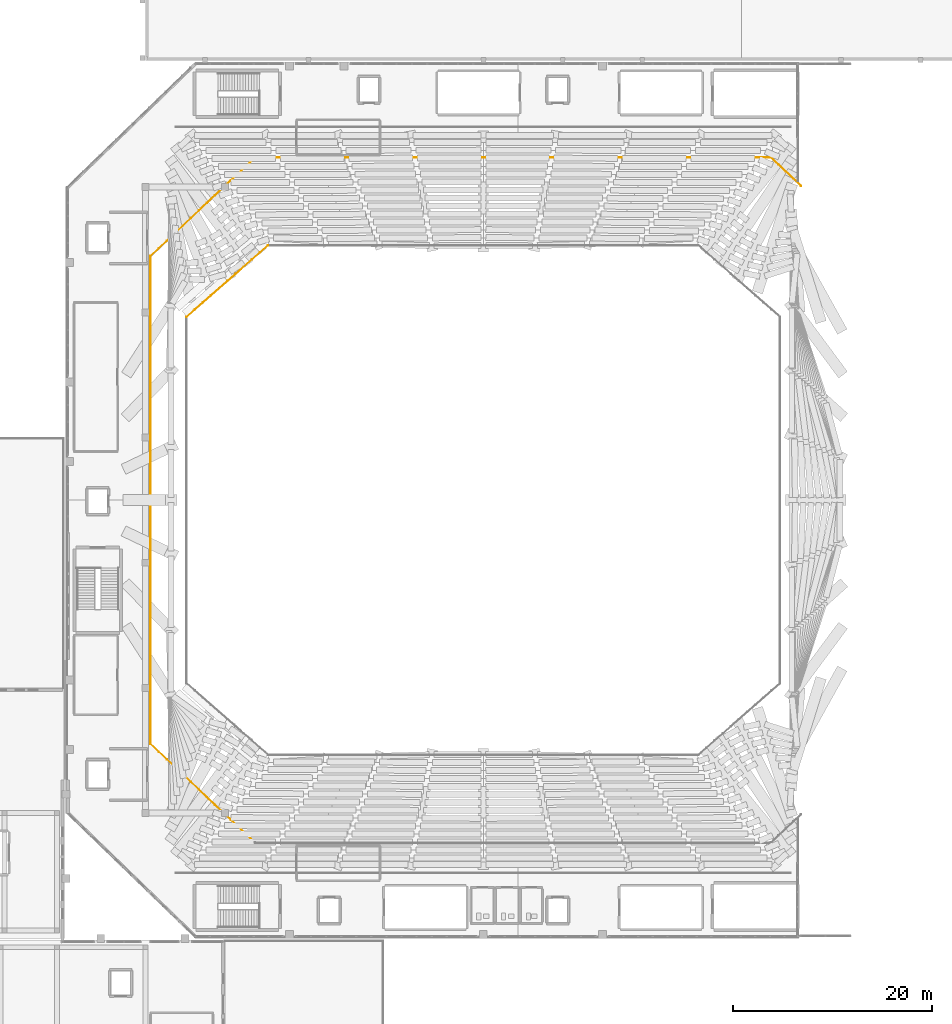
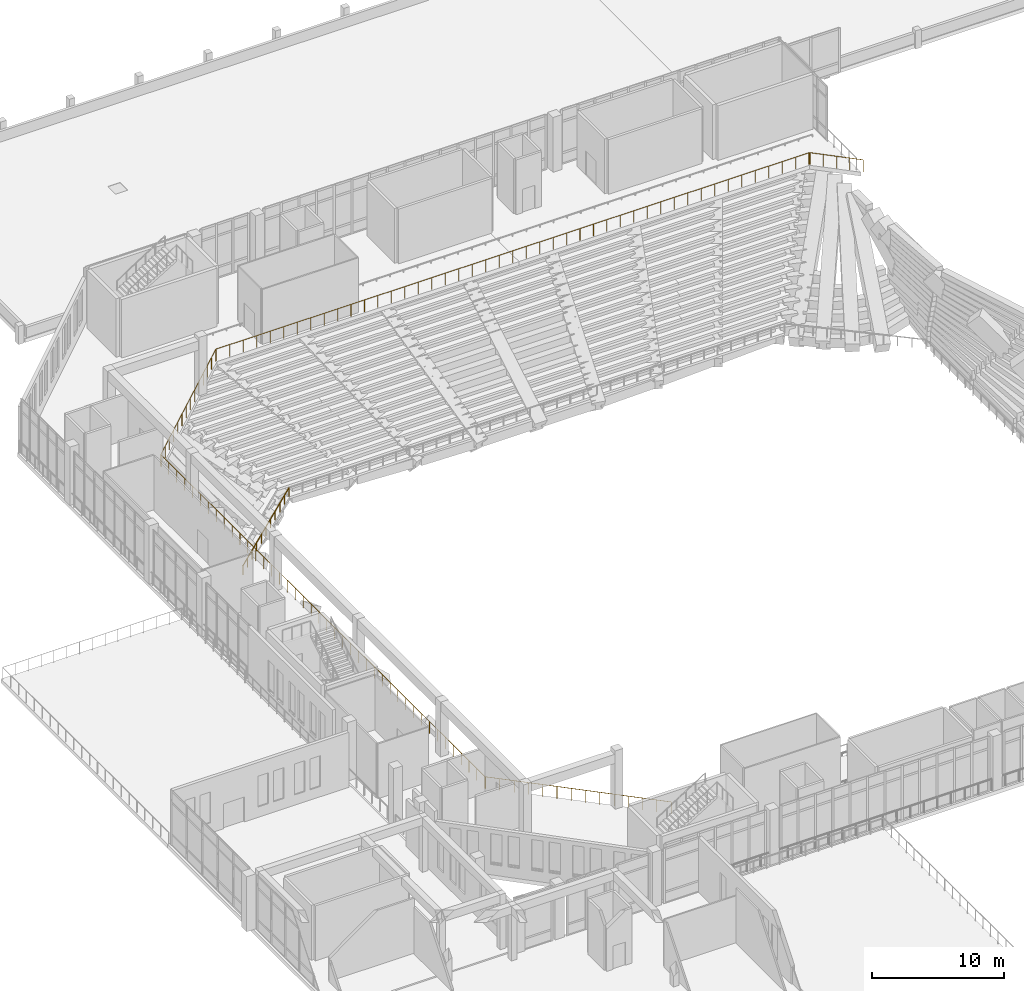
# One storey, part 53 of 55: 2 railings.
"""IFC4 building model written with IfcOpenShell, lengths in metres."""

from ifc_helpers import new_model, si_unit, derived_unit, direction, frame, origin, origin_2d, place, context, subcontext, project, spatial, circle, extrude, material, type_object, element, save


model = new_model("IFC4")

# Units and contexts
model_context = context("Model", 3, precision=1e-05, world=origin(), true_north=direction((0.0, 1.0)))
body_context = subcontext(model_context, "Body", "Model", "MODEL_VIEW")
ifc_project = project(units=[si_unit("LENGTHUNIT", "METRE"), si_unit("AREAUNIT", "SQUARE_METRE"), si_unit("VOLUMEUNIT", "CUBIC_METRE"), si_unit("PLANEANGLEUNIT", "RADIAN"), si_unit("MASSUNIT", "GRAM", prefix="KILO"), derived_unit("THERMALTRANSMITTANCEUNIT", [(si_unit("MASSUNIT", "GRAM", prefix="KILO"), 1), (si_unit("TIMEUNIT", "SECOND"), -3), (si_unit("THERMODYNAMICTEMPERATUREUNIT", "KELVIN"), -1)])], contexts=[model_context])

# Site, building, storey
site_placement = place(None, origin())
site = spatial("IfcSite", under=ifc_project, at=site_placement, CompositionType="ELEMENT")
building_placement = place(site_placement, origin())
building = spatial("IfcBuilding", under=site, at=building_placement, Name="Valcora Ridge Arena", CompositionType="ELEMENT")
storey_placement = place(building_placement, frame((0.0, 0.0, 21.0)))
storey = spatial("IfcBuildingStorey", under=building, at=storey_placement, Name="L04", CompositionType="ELEMENT", Elevation=21.0)

# Railings
ifc_material = material(Name="Galvanized painted steel ASTM A500 Grade B", Category="steel")
railing_type_1 = type_object("IfcRailingType", Name="TY-RAILING-BAL-BOWL-850", PredefinedType="BALUSTRADE", material=ifc_material)
railing_1_placement = place(storey_placement, frame((36.35009765625, 89.75, -7.60009765625)))
element("IfcRailing", 1, at=railing_1_placement, inside=storey, type_object=railing_type_1, Name="BAL-BOWL-850 RAL-BW-0022", PredefinedType="BALUSTRADE", context=body_context, shape_type="SweptSolid", body=[
    extrude(circle(Radius=0.02392578125, at=origin_2d()), frame((0.0, 0.0, 0.826171875), z_axis=(-0.751450235134, -0.659789772667, 0.0), x_axis=(0.659789772667, -0.751450235134, 0.0)), (0.0, 0.0, 1.0), 10.91259765625),
    extrude(circle(Radius=0.02099609375, at=origin_2d()), origin(), (0.0, 0.0, 1.0), 0.802001953125),
    extrude(circle(Radius=0.02099609375, at=origin_2d()), frame((-0.820068359375, -0.719970703125, 0.0)), (0.0, 0.0, 1.0), 0.802001953125),
    extrude(circle(Radius=0.02099609375, at=origin_2d()), frame((-1.64013671875, -1.43994140625, 0.0)), (0.0, 0.0, 1.0), 0.802001953125),
    extrude(circle(Radius=0.02099609375, at=origin_2d()), frame((-2.4599609375, -2.159912109375, 0.0)), (0.0, 0.0, 1.0), 0.802001953125),
    extrude(circle(Radius=0.02099609375, at=origin_2d()), frame((-3.280029296875, -2.8798828125, 0.0)), (0.0, 0.0, 1.0), 0.802001953125),
    extrude(circle(Radius=0.02099609375, at=origin_2d()), frame((-4.10009765625, -3.60009765625, 0.0)), (0.0, 0.0, 1.0), 0.802001953125),
    extrude(circle(Radius=0.02099609375, at=origin_2d()), frame((-4.920166015625, -4.320068359375, 0.0)), (0.0, 0.0, 1.0), 0.802001953125),
    extrude(circle(Radius=0.02099609375, at=origin_2d()), frame((-5.740234375, -5.0400390625, 0.0)), (0.0, 0.0, 1.0), 0.802001953125),
    extrude(circle(Radius=0.02099609375, at=origin_2d()), frame((-6.56005859375, -5.760009765625, 0.0)), (0.0, 0.0, 1.0), 0.802001953125),
    extrude(circle(Radius=0.02099609375, at=origin_2d()), frame((-7.380126953125, -6.47998046875, 0.0)), (0.0, 0.0, 1.0), 0.802001953125),
    extrude(circle(Radius=0.02099609375, at=origin_2d()), frame((-8.2001953125, -7.199951171875, 0.0)), (0.0, 0.0, 1.0), 0.802001953125),
])
railing_type_2 = type_object("IfcRailingType", Name="TY-RAILING-GRD-VOID-1120", PredefinedType="GUARDRAIL", material=ifc_material)
railing_2_placement = place(storey_placement, frame((35.031494140625, 29.627197265625, 0.0)))
element("IfcRailing", 2, at=railing_2_placement, inside=storey, type_object=railing_type_2, Name="GRD-VOID-1120 RAL-DK-0011", PredefinedType="GUARDRAIL", context=body_context, shape_type="SweptSolid", body=[
    extrude(circle(Radius=0.02392578125, at=origin_2d()), frame((0.0, 0.0, 1.09619140625), z_axis=(-0.727592783851, 0.686009286299, 0.0), x_axis=(-0.686009286299, -0.727592783851, 0.0)), (0.0, 0.0, 1.0), 14.43115234375),
    extrude(circle(Radius=0.02392578125, at=origin_2d()), frame((-10.5, 9.89990234375, 1.09619140625), z_axis=(-0.683157128776, 0.730271413519, 0.0), x_axis=(-0.730271413519, -0.683157128776, 0.0)), (0.0, 0.0, 1.0), 0.01025390625),
    extrude(circle(Radius=0.02392578125, at=origin_2d()), frame((-10.507080078125, 9.907470703125, 1.09619140625), z_axis=(-0.630592625094, 0.776114000116, 0.0), x_axis=(-0.776114000116, -0.630592625094, 0.0)), (0.0, 0.0, 1.0), 0.010009765625),
    extrude(circle(Radius=0.02392578125, at=origin_2d()), frame((-10.513427734375, 9.915283203125, 1.09619140625), z_axis=(-0.521450009454, 0.853281833652, 0.0), x_axis=(-0.853281833652, -0.521450009454, 0.0)), (0.0, 0.0, 1.0), 0.01025390625),
    extrude(circle(Radius=0.02392578125, at=origin_2d()), frame((-10.518798828125, 9.924072265625, 1.09619140625), z_axis=(-0.437465718849, 0.899235088746, 0.0), x_axis=(-0.899235088746, -0.437465718849, 0.0)), (0.0, 0.0, 1.0), 0.010009765625),
    extrude(circle(Radius=0.02392578125, at=origin_2d()), frame((-10.523193359375, 9.93310546875, 1.09619140625), z_axis=(-0.358979079309, 0.933345606203, 0.0), x_axis=(-0.933345606203, -0.358979079309, 0.0)), (0.0, 0.0, 1.0), 0.01025390625),
    extrude(circle(Radius=0.02392578125, at=origin_2d()), frame((-10.52685546875, 9.942626953125, 1.09619140625), z_axis=(-0.236956180191, 0.971520338783, 0.0), x_axis=(-0.971520338783, -0.236956180191, 0.0)), (0.0, 0.0, 1.0), 0.01025390625),
    extrude(circle(Radius=0.02392578125, at=origin_2d()), frame((-10.529296875, 9.95263671875, 1.09619140625), z_axis=(-0.168296462892, 0.98573642551, 0.0), x_axis=(-0.98573642551, -0.168296462892, 0.0)), (0.0, 0.0, 1.0), 0.01025390625),
    extrude(circle(Radius=0.02392578125, at=origin_2d()), frame((-10.531005859375, 9.962646484375, 1.09619140625), z_axis=(-0.047565149415, 0.998868137724, 0.0), x_axis=(-0.998868137724, -0.047565149415, 0.0)), (0.0, 0.0, 1.0), 0.01025390625),
    extrude(circle(Radius=0.02392578125, at=origin_2d()), frame((-10.531494140625, 9.972900390625, 1.09619140625), z_axis=(0.0, 1.0, 0.0), x_axis=(-1.0, 0.0, 0.0)), (0.0, 0.0, 1.0), 49.0),
    extrude(circle(Radius=0.02392578125, at=origin_2d()), frame((-10.531494140625, 58.972900390625, 1.09619140625), z_axis=(0.048722553713, 0.998812351125, 0.0), x_axis=(-0.998812351125, 0.048722553713, 0.0)), (0.0, 0.0, 1.0), 0.010009765625),
    extrude(circle(Radius=0.02392578125, at=origin_2d()), frame((-10.531005859375, 58.98291015625, 1.09619140625), z_axis=(0.168296462892, 0.98573642551, 0.0), x_axis=(-0.98573642551, 0.168296462892, 0.0)), (0.0, 0.0, 1.0), 0.01025390625),
    extrude(circle(Radius=0.02392578125, at=origin_2d()), frame((-10.529296875, 58.992919921875, 1.09619140625), z_axis=(0.236956180191, 0.971520338783, 0.0), x_axis=(-0.971520338783, 0.236956180191, 0.0)), (0.0, 0.0, 1.0), 0.01025390625),
    extrude(circle(Radius=0.02392578125, at=origin_2d()), frame((-10.52685546875, 59.0029296875, 1.09619140625), z_axis=(0.358979079309, 0.933345606203, 0.0), x_axis=(-0.933345606203, 0.358979079309, 0.0)), (0.0, 0.0, 1.0), 0.01025390625),
    extrude(circle(Radius=0.02392578125, at=origin_2d()), frame((-10.523193359375, 59.012451171875, 1.09619140625), z_axis=(0.437465718849, 0.899235088746, 0.0), x_axis=(-0.899235088746, 0.437465718849, 0.0)), (0.0, 0.0, 1.0), 0.010009765625),
    extrude(circle(Radius=0.02392578125, at=origin_2d()), frame((-10.518798828125, 59.021484375, 1.09619140625), z_axis=(0.521450009454, 0.853281833652, 0.0), x_axis=(-0.853281833652, 0.521450009454, 0.0)), (0.0, 0.0, 1.0), 0.01025390625),
    extrude(circle(Radius=0.02392578125, at=origin_2d()), frame((-10.513427734375, 59.0302734375, 1.09619140625), z_axis=(0.630592625094, 0.776114000116, 0.0), x_axis=(-0.776114000116, 0.630592625094, 0.0)), (0.0, 0.0, 1.0), 0.010009765625),
    extrude(circle(Radius=0.02392578125, at=origin_2d()), frame((-10.507080078125, 59.0380859375, 1.09619140625), z_axis=(0.683157128776, 0.730271413519, 0.0), x_axis=(-0.730271413519, 0.683157128776, 0.0)), (0.0, 0.0, 1.0), 0.01025390625),
    extrude(circle(Radius=0.02392578125, at=origin_2d()), frame((-10.5, 59.045654296875, 1.09619140625), z_axis=(0.727592783851, 0.686009286299, 0.0), x_axis=(-0.686009286299, 0.727592783851, 0.0)), (0.0, 0.0, 1.0), 14.43115234375),
    extrude(circle(Radius=0.02392578125, at=origin_2d()), frame((0.0, 68.945556640625, 1.09619140625), z_axis=(0.757409961601, 0.652939622069, 0.0), x_axis=(-0.652939622069, 0.757409961601, 0.0)), (0.0, 0.0, 1.0), 0.00927734375),
    extrude(circle(Radius=0.02392578125, at=origin_2d()), frame((0.007080078125, 68.95166015625, 1.09619140625), z_axis=(0.812015371343, 0.583636048153, 0.0), x_axis=(-0.583636048153, 0.812015371343, 0.0)), (0.0, 0.0, 1.0), 0.009521484375),
    extrude(circle(Radius=0.02392578125, at=origin_2d()), frame((0.014892578125, 68.957275390625, 1.09619140625), z_axis=(0.866622456874, 0.498964444867, 0.0), x_axis=(-0.498964444867, 0.866622456874, 0.0)), (0.0, 0.0, 1.0), 0.00927734375),
    extrude(circle(Radius=0.02392578125, at=origin_2d()), frame((0.02294921875, 68.9619140625, 1.09619140625), z_axis=(0.909474475586, 0.415759760268, 0.0), x_axis=(-0.415759760268, 0.909474475586, 0.0)), (0.0, 0.0, 1.0), 0.00927734375),
    extrude(circle(Radius=0.02392578125, at=origin_2d()), frame((0.031494140625, 68.9658203125, 1.09619140625), z_axis=(0.951222818949, 0.308504698037, 0.0), x_axis=(-0.308504698037, 0.951222818949, 0.0)), (0.0, 0.0, 1.0), 0.009521484375),
    extrude(circle(Radius=0.02392578125, at=origin_2d()), frame((0.04052734375, 68.96875, 1.09619140625), z_axis=(0.97308028749, 0.230466383879, 0.0), x_axis=(-0.230466383879, 0.97308028749, 0.0)), (0.0, 0.0, 1.0), 0.009521484375),
    extrude(circle(Radius=0.02392578125, at=origin_2d()), frame((0.0498046875, 68.970947265625, 1.09619140625), z_axis=(0.987762965329, 0.155962573473, 0.0), x_axis=(-0.155962573473, 0.987762965329, 0.0)), (0.0, 0.0, 1.0), 0.00927734375),
    extrude(circle(Radius=0.02392578125, at=origin_2d()), frame((0.05908203125, 68.972412109375, 1.09619140625), z_axis=(0.998687663477, 0.051214751973, 0.0), x_axis=(-0.051214751973, 0.998687663477, 0.0)), (0.0, 0.0, 1.0), 0.009521484375),
    extrude(circle(Radius=0.02392578125, at=origin_2d()), frame((0.068603515625, 68.972900390625, 1.09619140625), z_axis=(1.0, 0.0, 0.0), x_axis=(0.0, 1.0, 0.0)), (0.0, 0.0, 1.0), 51.7998046875),
    extrude(circle(Radius=0.02392578125, at=origin_2d()), frame((51.868408203125, 68.972900390625, 1.09619140625), z_axis=(0.998687663477, -0.051214751973, 0.0), x_axis=(0.051214751973, 0.998687663477, 0.0)), (0.0, 0.0, 1.0), 0.009521484375),
    extrude(circle(Radius=0.02392578125, at=origin_2d()), frame((51.8779296875, 68.972412109375, 1.09619140625), z_axis=(0.987762965329, -0.155962573473, 0.0), x_axis=(0.155962573473, 0.987762965329, 0.0)), (0.0, 0.0, 1.0), 0.00927734375),
    extrude(circle(Radius=0.02392578125, at=origin_2d()), frame((51.88720703125, 68.970947265625, 1.09619140625), z_axis=(0.97308028749, -0.230466383879, 0.0), x_axis=(0.230466383879, 0.97308028749, 0.0)), (0.0, 0.0, 1.0), 0.009521484375),
    extrude(circle(Radius=0.02392578125, at=origin_2d()), frame((51.896484375, 68.96875, 1.09619140625), z_axis=(0.951222818949, -0.308504698037, 0.0), x_axis=(0.308504698037, 0.951222818949, 0.0)), (0.0, 0.0, 1.0), 0.009521484375),
    extrude(circle(Radius=0.02392578125, at=origin_2d()), frame((51.905517578125, 68.9658203125, 1.09619140625), z_axis=(0.909474475586, -0.415759760268, 0.0), x_axis=(0.415759760268, 0.909474475586, 0.0)), (0.0, 0.0, 1.0), 0.00927734375),
    extrude(circle(Radius=0.02392578125, at=origin_2d()), frame((51.9140625, 68.9619140625, 1.09619140625), z_axis=(0.866622456874, -0.498964444867, 0.0), x_axis=(0.498964444867, 0.866622456874, 0.0)), (0.0, 0.0, 1.0), 0.00927734375),
    extrude(circle(Radius=0.02392578125, at=origin_2d()), frame((51.922119140625, 68.957275390625, 1.09619140625), z_axis=(0.812015371343, -0.583636048153, 0.0), x_axis=(0.583636048153, 0.812015371343, 0.0)), (0.0, 0.0, 1.0), 0.009521484375),
    extrude(circle(Radius=0.02392578125, at=origin_2d()), frame((51.929931640625, 68.95166015625, 1.09619140625), z_axis=(0.757409961601, -0.652939622069, 0.0), x_axis=(0.652939622069, 0.757409961601, 0.0)), (0.0, 0.0, 1.0), 0.00927734375),
    extrude(circle(Radius=0.02392578125, at=origin_2d()), frame((51.93701171875, 68.945556640625, 1.09619140625), z_axis=(0.727582670629, -0.686020012391, 0.0), x_axis=(0.686020012391, 0.727582670629, 0.0)), (0.0, 0.0, 1.0), 4.13525390625),
    extrude(circle(Radius=0.02099609375, at=origin_2d()), origin(), (0.0, 0.0, 1.0), 1.072021484375),
    extrude(circle(Radius=0.02099609375, at=origin_2d()), frame((-0.8076171875, 0.761474609375, 0.0)), (0.0, 0.0, 1.0), 1.072021484375),
    extrude(circle(Radius=0.02099609375, at=origin_2d()), frame((-1.615478515625, 1.52294921875, 0.0)), (0.0, 0.0, 1.0), 1.072021484375),
    extrude(circle(Radius=0.02099609375, at=origin_2d()), frame((-2.423095703125, 2.28466796875, 0.0)), (0.0, 0.0, 1.0), 1.072021484375),
    extrude(circle(Radius=0.02099609375, at=origin_2d()), frame((-3.230712890625, 3.046142578125, 0.0)), (0.0, 0.0, 1.0), 1.072021484375),
    extrude(circle(Radius=0.02099609375, at=origin_2d()), frame((-4.03857421875, 3.8076171875, 0.0)), (0.0, 0.0, 1.0), 1.072021484375),
    extrude(circle(Radius=0.02099609375, at=origin_2d()), frame((-4.84619140625, 4.569091796875, 0.0)), (0.0, 0.0, 1.0), 1.072021484375),
    extrude(circle(Radius=0.02099609375, at=origin_2d()), frame((-5.65380859375, 5.330810546875, 0.0)), (0.0, 0.0, 1.0), 1.072021484375),
    extrude(circle(Radius=0.02099609375, at=origin_2d()), frame((-6.46142578125, 6.09228515625, 0.0)), (0.0, 0.0, 1.0), 1.072021484375),
    extrude(circle(Radius=0.02099609375, at=origin_2d()), frame((-7.269287109375, 6.853759765625, 0.0)), (0.0, 0.0, 1.0), 1.072021484375),
    extrude(circle(Radius=0.02099609375, at=origin_2d()), frame((-8.076904296875, 7.615234375, 0.0)), (0.0, 0.0, 1.0), 1.072021484375),
    extrude(circle(Radius=0.02099609375, at=origin_2d()), frame((-8.884521484375, 8.376953125, 0.0)), (0.0, 0.0, 1.0), 1.072021484375),
    extrude(circle(Radius=0.02099609375, at=origin_2d()), frame((-9.6923828125, 9.138427734375, 0.0)), (0.0, 0.0, 1.0), 1.072021484375),
    extrude(circle(Radius=0.02099609375, at=origin_2d()), frame((-10.5, 9.89990234375, 0.0)), (0.0, 0.0, 1.0), 1.072021484375),
    extrude(circle(Radius=0.02099609375, at=origin_2d()), frame((-10.507080078125, 9.907470703125, 0.0)), (0.0, 0.0, 1.0), 1.072021484375),
    extrude(circle(Radius=0.02099609375, at=origin_2d()), frame((-10.513427734375, 9.915283203125, 0.0)), (0.0, 0.0, 1.0), 1.072021484375),
    extrude(circle(Radius=0.02099609375, at=origin_2d()), frame((-10.518798828125, 9.924072265625, 0.0)), (0.0, 0.0, 1.0), 1.072021484375),
    extrude(circle(Radius=0.02099609375, at=origin_2d()), frame((-10.523193359375, 9.93310546875, 0.0)), (0.0, 0.0, 1.0), 1.072021484375),
    extrude(circle(Radius=0.02099609375, at=origin_2d()), frame((-10.52685546875, 9.942626953125, 0.0)), (0.0, 0.0, 1.0), 1.072021484375),
    extrude(circle(Radius=0.02099609375, at=origin_2d()), frame((-10.529296875, 9.95263671875, 0.0)), (0.0, 0.0, 1.0), 1.072021484375),
    extrude(circle(Radius=0.02099609375, at=origin_2d()), frame((-10.531005859375, 9.962646484375, 0.0)), (0.0, 0.0, 1.0), 1.072021484375),
    extrude(circle(Radius=0.02099609375, at=origin_2d()), frame((-10.531494140625, 9.972900390625, 0.0)), (0.0, 0.0, 1.0), 1.072021484375),
    extrude(circle(Radius=0.02099609375, at=origin_2d()), frame((-10.531494140625, 11.16796875, 0.0)), (0.0, 0.0, 1.0), 1.072021484375),
    extrude(circle(Radius=0.02099609375, at=origin_2d()), frame((-10.531494140625, 12.363037109375, 0.0)), (0.0, 0.0, 1.0), 1.072021484375),
    extrude(circle(Radius=0.02099609375, at=origin_2d()), frame((-10.531494140625, 13.558349609375, 0.0)), (0.0, 0.0, 1.0), 1.072021484375),
    extrude(circle(Radius=0.02099609375, at=origin_2d()), frame((-10.531494140625, 14.75341796875, 0.0)), (0.0, 0.0, 1.0), 1.072021484375),
    extrude(circle(Radius=0.02099609375, at=origin_2d()), frame((-10.531494140625, 15.948486328125, 0.0)), (0.0, 0.0, 1.0), 1.072021484375),
    extrude(circle(Radius=0.02099609375, at=origin_2d()), frame((-10.531494140625, 17.1435546875, 0.0)), (0.0, 0.0, 1.0), 1.072021484375),
    extrude(circle(Radius=0.02099609375, at=origin_2d()), frame((-10.531494140625, 18.3388671875, 0.0)), (0.0, 0.0, 1.0), 1.072021484375),
    extrude(circle(Radius=0.02099609375, at=origin_2d()), frame((-10.531494140625, 19.533935546875, 0.0)), (0.0, 0.0, 1.0), 1.072021484375),
    extrude(circle(Radius=0.02099609375, at=origin_2d()), frame((-10.531494140625, 20.72900390625, 0.0)), (0.0, 0.0, 1.0), 1.072021484375),
    extrude(circle(Radius=0.02099609375, at=origin_2d()), frame((-10.531494140625, 21.924072265625, 0.0)), (0.0, 0.0, 1.0), 1.072021484375),
    extrude(circle(Radius=0.02099609375, at=origin_2d()), frame((-10.531494140625, 23.119140625, 0.0)), (0.0, 0.0, 1.0), 1.072021484375),
    extrude(circle(Radius=0.02099609375, at=origin_2d()), frame((-10.531494140625, 24.314453125, 0.0)), (0.0, 0.0, 1.0), 1.072021484375),
    extrude(circle(Radius=0.02099609375, at=origin_2d()), frame((-10.531494140625, 25.509521484375, 0.0)), (0.0, 0.0, 1.0), 1.072021484375),
    extrude(circle(Radius=0.02099609375, at=origin_2d()), frame((-10.531494140625, 26.70458984375, 0.0)), (0.0, 0.0, 1.0), 1.072021484375),
    extrude(circle(Radius=0.02099609375, at=origin_2d()), frame((-10.531494140625, 27.899658203125, 0.0)), (0.0, 0.0, 1.0), 1.072021484375),
    extrude(circle(Radius=0.02099609375, at=origin_2d()), frame((-10.531494140625, 29.094970703125, 0.0)), (0.0, 0.0, 1.0), 1.072021484375),
    extrude(circle(Radius=0.02099609375, at=origin_2d()), frame((-10.531494140625, 30.2900390625, 0.0)), (0.0, 0.0, 1.0), 1.072021484375),
    extrude(circle(Radius=0.02099609375, at=origin_2d()), frame((-10.531494140625, 31.485107421875, 0.0)), (0.0, 0.0, 1.0), 1.072021484375),
    extrude(circle(Radius=0.02099609375, at=origin_2d()), frame((-10.531494140625, 32.68017578125, 0.0)), (0.0, 0.0, 1.0), 1.072021484375),
    extrude(circle(Radius=0.02099609375, at=origin_2d()), frame((-10.531494140625, 33.875244140625, 0.0)), (0.0, 0.0, 1.0), 1.072021484375),
    extrude(circle(Radius=0.02099609375, at=origin_2d()), frame((-10.531494140625, 35.070556640625, 0.0)), (0.0, 0.0, 1.0), 1.072021484375),
    extrude(circle(Radius=0.02099609375, at=origin_2d()), frame((-10.531494140625, 36.265625, 0.0)), (0.0, 0.0, 1.0), 1.072021484375),
    extrude(circle(Radius=0.02099609375, at=origin_2d()), frame((-10.531494140625, 37.460693359375, 0.0)), (0.0, 0.0, 1.0), 1.072021484375),
    extrude(circle(Radius=0.02099609375, at=origin_2d()), frame((-10.531494140625, 38.65576171875, 0.0)), (0.0, 0.0, 1.0), 1.072021484375),
    extrude(circle(Radius=0.02099609375, at=origin_2d()), frame((-10.531494140625, 39.850830078125, 0.0)), (0.0, 0.0, 1.0), 1.072021484375),
    extrude(circle(Radius=0.02099609375, at=origin_2d()), frame((-10.531494140625, 41.046142578125, 0.0)), (0.0, 0.0, 1.0), 1.072021484375),
    extrude(circle(Radius=0.02099609375, at=origin_2d()), frame((-10.531494140625, 42.2412109375, 0.0)), (0.0, 0.0, 1.0), 1.072021484375),
    extrude(circle(Radius=0.02099609375, at=origin_2d()), frame((-10.531494140625, 43.436279296875, 0.0)), (0.0, 0.0, 1.0), 1.072021484375),
    extrude(circle(Radius=0.02099609375, at=origin_2d()), frame((-10.531494140625, 44.63134765625, 0.0)), (0.0, 0.0, 1.0), 1.072021484375),
    extrude(circle(Radius=0.02099609375, at=origin_2d()), frame((-10.531494140625, 45.82666015625, 0.0)), (0.0, 0.0, 1.0), 1.072021484375),
    extrude(circle(Radius=0.02099609375, at=origin_2d()), frame((-10.531494140625, 47.021728515625, 0.0)), (0.0, 0.0, 1.0), 1.072021484375),
    extrude(circle(Radius=0.02099609375, at=origin_2d()), frame((-10.531494140625, 48.216796875, 0.0)), (0.0, 0.0, 1.0), 1.072021484375),
    extrude(circle(Radius=0.02099609375, at=origin_2d()), frame((-10.531494140625, 49.411865234375, 0.0)), (0.0, 0.0, 1.0), 1.072021484375),
    extrude(circle(Radius=0.02099609375, at=origin_2d()), frame((-10.531494140625, 50.60693359375, 0.0)), (0.0, 0.0, 1.0), 1.072021484375),
    extrude(circle(Radius=0.02099609375, at=origin_2d()), frame((-10.531494140625, 51.80224609375, 0.0)), (0.0, 0.0, 1.0), 1.072021484375),
    extrude(circle(Radius=0.02099609375, at=origin_2d()), frame((-10.531494140625, 52.997314453125, 0.0)), (0.0, 0.0, 1.0), 1.072021484375),
    extrude(circle(Radius=0.02099609375, at=origin_2d()), frame((-10.531494140625, 54.1923828125, 0.0)), (0.0, 0.0, 1.0), 1.072021484375),
    extrude(circle(Radius=0.02099609375, at=origin_2d()), frame((-10.531494140625, 55.387451171875, 0.0)), (0.0, 0.0, 1.0), 1.072021484375),
    extrude(circle(Radius=0.02099609375, at=origin_2d()), frame((-10.531494140625, 56.582763671875, 0.0)), (0.0, 0.0, 1.0), 1.072021484375),
    extrude(circle(Radius=0.02099609375, at=origin_2d()), frame((-10.531494140625, 57.77783203125, 0.0)), (0.0, 0.0, 1.0), 1.072021484375),
    extrude(circle(Radius=0.02099609375, at=origin_2d()), frame((-10.531494140625, 58.972900390625, 0.0)), (0.0, 0.0, 1.0), 1.072021484375),
    extrude(circle(Radius=0.02099609375, at=origin_2d()), frame((-10.531005859375, 58.98291015625, 0.0)), (0.0, 0.0, 1.0), 1.072021484375),
    extrude(circle(Radius=0.02099609375, at=origin_2d()), frame((-10.529296875, 58.992919921875, 0.0)), (0.0, 0.0, 1.0), 1.072021484375),
    extrude(circle(Radius=0.02099609375, at=origin_2d()), frame((-10.52685546875, 59.0029296875, 0.0)), (0.0, 0.0, 1.0), 1.072021484375),
    extrude(circle(Radius=0.02099609375, at=origin_2d()), frame((-10.523193359375, 59.012451171875, 0.0)), (0.0, 0.0, 1.0), 1.072021484375),
    extrude(circle(Radius=0.02099609375, at=origin_2d()), frame((-10.518798828125, 59.021484375, 0.0)), (0.0, 0.0, 1.0), 1.072021484375),
    extrude(circle(Radius=0.02099609375, at=origin_2d()), frame((-10.513427734375, 59.0302734375, 0.0)), (0.0, 0.0, 1.0), 1.072021484375),
    extrude(circle(Radius=0.02099609375, at=origin_2d()), frame((-10.507080078125, 59.0380859375, 0.0)), (0.0, 0.0, 1.0), 1.072021484375),
    extrude(circle(Radius=0.02099609375, at=origin_2d()), frame((-10.5, 59.045654296875, 0.0)), (0.0, 0.0, 1.0), 1.072021484375),
    extrude(circle(Radius=0.02099609375, at=origin_2d()), frame((-9.6923828125, 59.80712890625, 0.0)), (0.0, 0.0, 1.0), 1.072021484375),
    extrude(circle(Radius=0.02099609375, at=origin_2d()), frame((-8.884521484375, 60.568603515625, 0.0)), (0.0, 0.0, 1.0), 1.072021484375),
    extrude(circle(Radius=0.02099609375, at=origin_2d()), frame((-8.076904296875, 61.330322265625, 0.0)), (0.0, 0.0, 1.0), 1.072021484375),
    extrude(circle(Radius=0.02099609375, at=origin_2d()), frame((-7.269287109375, 62.091796875, 0.0)), (0.0, 0.0, 1.0), 1.072021484375),
    extrude(circle(Radius=0.02099609375, at=origin_2d()), frame((-6.46142578125, 62.853271484375, 0.0)), (0.0, 0.0, 1.0), 1.072021484375),
    extrude(circle(Radius=0.02099609375, at=origin_2d()), frame((-5.65380859375, 63.61474609375, 0.0)), (0.0, 0.0, 1.0), 1.072021484375),
    extrude(circle(Radius=0.02099609375, at=origin_2d()), frame((-4.84619140625, 64.37646484375, 0.0)), (0.0, 0.0, 1.0), 1.072021484375),
    extrude(circle(Radius=0.02099609375, at=origin_2d()), frame((-4.03857421875, 65.137939453125, 0.0)), (0.0, 0.0, 1.0), 1.072021484375),
    extrude(circle(Radius=0.02099609375, at=origin_2d()), frame((-3.230712890625, 65.8994140625, 0.0)), (0.0, 0.0, 1.0), 1.072021484375),
    extrude(circle(Radius=0.02099609375, at=origin_2d()), frame((-2.423095703125, 66.660888671875, 0.0)), (0.0, 0.0, 1.0), 1.072021484375),
    extrude(circle(Radius=0.02099609375, at=origin_2d()), frame((-1.615478515625, 67.422607421875, 0.0)), (0.0, 0.0, 1.0), 1.072021484375),
    extrude(circle(Radius=0.02099609375, at=origin_2d()), frame((-0.8076171875, 68.18408203125, 0.0)), (0.0, 0.0, 1.0), 1.072021484375),
    extrude(circle(Radius=0.02099609375, at=origin_2d()), frame((0.0, 68.945556640625, 0.0)), (0.0, 0.0, 1.0), 1.072021484375),
    extrude(circle(Radius=0.02099609375, at=origin_2d()), frame((0.007080078125, 68.95166015625, 0.0)), (0.0, 0.0, 1.0), 1.072021484375),
    extrude(circle(Radius=0.02099609375, at=origin_2d()), frame((0.014892578125, 68.957275390625, 0.0)), (0.0, 0.0, 1.0), 1.072021484375),
    extrude(circle(Radius=0.02099609375, at=origin_2d()), frame((0.02294921875, 68.9619140625, 0.0)), (0.0, 0.0, 1.0), 1.072021484375),
    extrude(circle(Radius=0.02099609375, at=origin_2d()), frame((0.031494140625, 68.9658203125, 0.0)), (0.0, 0.0, 1.0), 1.072021484375),
    extrude(circle(Radius=0.02099609375, at=origin_2d()), frame((0.04052734375, 68.96875, 0.0)), (0.0, 0.0, 1.0), 1.072021484375),
    extrude(circle(Radius=0.02099609375, at=origin_2d()), frame((0.0498046875, 68.970947265625, 0.0)), (0.0, 0.0, 1.0), 1.072021484375),
    extrude(circle(Radius=0.02099609375, at=origin_2d()), frame((0.05908203125, 68.972412109375, 0.0)), (0.0, 0.0, 1.0), 1.072021484375),
    extrude(circle(Radius=0.02099609375, at=origin_2d()), frame((0.068603515625, 68.972900390625, 0.0)), (0.0, 0.0, 1.0), 1.072021484375),
    extrude(circle(Radius=0.02099609375, at=origin_2d()), frame((1.245849609375, 68.972900390625, 0.0)), (0.0, 0.0, 1.0), 1.072021484375),
    extrude(circle(Radius=0.02099609375, at=origin_2d()), frame((2.423095703125, 68.972900390625, 0.0)), (0.0, 0.0, 1.0), 1.072021484375),
    extrude(circle(Radius=0.02099609375, at=origin_2d()), frame((3.600341796875, 68.972900390625, 0.0)), (0.0, 0.0, 1.0), 1.072021484375),
    extrude(circle(Radius=0.02099609375, at=origin_2d()), frame((4.777587890625, 68.972900390625, 0.0)), (0.0, 0.0, 1.0), 1.072021484375),
    extrude(circle(Radius=0.02099609375, at=origin_2d()), frame((5.954833984375, 68.972900390625, 0.0)), (0.0, 0.0, 1.0), 1.072021484375),
    extrude(circle(Radius=0.02099609375, at=origin_2d()), frame((7.13232421875, 68.972900390625, 0.0)), (0.0, 0.0, 1.0), 1.072021484375),
    extrude(circle(Radius=0.02099609375, at=origin_2d()), frame((8.3095703125, 68.972900390625, 0.0)), (0.0, 0.0, 1.0), 1.072021484375),
    extrude(circle(Radius=0.02099609375, at=origin_2d()), frame((9.48681640625, 68.972900390625, 0.0)), (0.0, 0.0, 1.0), 1.072021484375),
    extrude(circle(Radius=0.02099609375, at=origin_2d()), frame((10.6640625, 68.972900390625, 0.0)), (0.0, 0.0, 1.0), 1.072021484375),
    extrude(circle(Radius=0.02099609375, at=origin_2d()), frame((11.84130859375, 68.972900390625, 0.0)), (0.0, 0.0, 1.0), 1.072021484375),
    extrude(circle(Radius=0.02099609375, at=origin_2d()), frame((13.0185546875, 68.972900390625, 0.0)), (0.0, 0.0, 1.0), 1.072021484375),
    extrude(circle(Radius=0.02099609375, at=origin_2d()), frame((14.19580078125, 68.972900390625, 0.0)), (0.0, 0.0, 1.0), 1.072021484375),
    extrude(circle(Radius=0.02099609375, at=origin_2d()), frame((15.373046875, 68.972900390625, 0.0)), (0.0, 0.0, 1.0), 1.072021484375),
    extrude(circle(Radius=0.02099609375, at=origin_2d()), frame((16.55029296875, 68.972900390625, 0.0)), (0.0, 0.0, 1.0), 1.072021484375),
    extrude(circle(Radius=0.02099609375, at=origin_2d()), frame((17.7275390625, 68.972900390625, 0.0)), (0.0, 0.0, 1.0), 1.072021484375),
    extrude(circle(Radius=0.02099609375, at=origin_2d()), frame((18.90478515625, 68.972900390625, 0.0)), (0.0, 0.0, 1.0), 1.072021484375),
    extrude(circle(Radius=0.02099609375, at=origin_2d()), frame((20.082275390625, 68.972900390625, 0.0)), (0.0, 0.0, 1.0), 1.072021484375),
    extrude(circle(Radius=0.02099609375, at=origin_2d()), frame((21.259521484375, 68.972900390625, 0.0)), (0.0, 0.0, 1.0), 1.072021484375),
    extrude(circle(Radius=0.02099609375, at=origin_2d()), frame((22.436767578125, 68.972900390625, 0.0)), (0.0, 0.0, 1.0), 1.072021484375),
    extrude(circle(Radius=0.02099609375, at=origin_2d()), frame((23.614013671875, 68.972900390625, 0.0)), (0.0, 0.0, 1.0), 1.072021484375),
    extrude(circle(Radius=0.02099609375, at=origin_2d()), frame((24.791259765625, 68.972900390625, 0.0)), (0.0, 0.0, 1.0), 1.072021484375),
    extrude(circle(Radius=0.02099609375, at=origin_2d()), frame((25.968505859375, 68.972900390625, 0.0)), (0.0, 0.0, 1.0), 1.072021484375),
    extrude(circle(Radius=0.02099609375, at=origin_2d()), frame((27.145751953125, 68.972900390625, 0.0)), (0.0, 0.0, 1.0), 1.072021484375),
    extrude(circle(Radius=0.02099609375, at=origin_2d()), frame((28.322998046875, 68.972900390625, 0.0)), (0.0, 0.0, 1.0), 1.072021484375),
    extrude(circle(Radius=0.02099609375, at=origin_2d()), frame((29.500244140625, 68.972900390625, 0.0)), (0.0, 0.0, 1.0), 1.072021484375),
    extrude(circle(Radius=0.02099609375, at=origin_2d()), frame((30.677490234375, 68.972900390625, 0.0)), (0.0, 0.0, 1.0), 1.072021484375),
    extrude(circle(Radius=0.02099609375, at=origin_2d()), frame((31.854736328125, 68.972900390625, 0.0)), (0.0, 0.0, 1.0), 1.072021484375),
    extrude(circle(Radius=0.02099609375, at=origin_2d()), frame((33.0322265625, 68.972900390625, 0.0)), (0.0, 0.0, 1.0), 1.072021484375),
    extrude(circle(Radius=0.02099609375, at=origin_2d()), frame((34.20947265625, 68.972900390625, 0.0)), (0.0, 0.0, 1.0), 1.072021484375),
    extrude(circle(Radius=0.02099609375, at=origin_2d()), frame((35.38671875, 68.972900390625, 0.0)), (0.0, 0.0, 1.0), 1.072021484375),
    extrude(circle(Radius=0.02099609375, at=origin_2d()), frame((36.56396484375, 68.972900390625, 0.0)), (0.0, 0.0, 1.0), 1.072021484375),
    extrude(circle(Radius=0.02099609375, at=origin_2d()), frame((37.7412109375, 68.972900390625, 0.0)), (0.0, 0.0, 1.0), 1.072021484375),
    extrude(circle(Radius=0.02099609375, at=origin_2d()), frame((38.91845703125, 68.972900390625, 0.0)), (0.0, 0.0, 1.0), 1.072021484375),
    extrude(circle(Radius=0.02099609375, at=origin_2d()), frame((40.095703125, 68.972900390625, 0.0)), (0.0, 0.0, 1.0), 1.072021484375),
    extrude(circle(Radius=0.02099609375, at=origin_2d()), frame((41.27294921875, 68.972900390625, 0.0)), (0.0, 0.0, 1.0), 1.072021484375),
    extrude(circle(Radius=0.02099609375, at=origin_2d()), frame((42.4501953125, 68.972900390625, 0.0)), (0.0, 0.0, 1.0), 1.072021484375),
    extrude(circle(Radius=0.02099609375, at=origin_2d()), frame((43.62744140625, 68.972900390625, 0.0)), (0.0, 0.0, 1.0), 1.072021484375),
    extrude(circle(Radius=0.02099609375, at=origin_2d()), frame((44.8046875, 68.972900390625, 0.0)), (0.0, 0.0, 1.0), 1.072021484375),
    extrude(circle(Radius=0.02099609375, at=origin_2d()), frame((45.982177734375, 68.972900390625, 0.0)), (0.0, 0.0, 1.0), 1.072021484375),
    extrude(circle(Radius=0.02099609375, at=origin_2d()), frame((47.159423828125, 68.972900390625, 0.0)), (0.0, 0.0, 1.0), 1.072021484375),
    extrude(circle(Radius=0.02099609375, at=origin_2d()), frame((48.336669921875, 68.972900390625, 0.0)), (0.0, 0.0, 1.0), 1.072021484375),
    extrude(circle(Radius=0.02099609375, at=origin_2d()), frame((49.513916015625, 68.972900390625, 0.0)), (0.0, 0.0, 1.0), 1.072021484375),
    extrude(circle(Radius=0.02099609375, at=origin_2d()), frame((50.691162109375, 68.972900390625, 0.0)), (0.0, 0.0, 1.0), 1.072021484375),
    extrude(circle(Radius=0.02099609375, at=origin_2d()), frame((51.868408203125, 68.972900390625, 0.0)), (0.0, 0.0, 1.0), 1.072021484375),
    extrude(circle(Radius=0.02099609375, at=origin_2d()), frame((51.8779296875, 68.972412109375, 0.0)), (0.0, 0.0, 1.0), 1.072021484375),
    extrude(circle(Radius=0.02099609375, at=origin_2d()), frame((51.88720703125, 68.970947265625, 0.0)), (0.0, 0.0, 1.0), 1.072021484375),
    extrude(circle(Radius=0.02099609375, at=origin_2d()), frame((51.896484375, 68.96875, 0.0)), (0.0, 0.0, 1.0), 1.072021484375),
    extrude(circle(Radius=0.02099609375, at=origin_2d()), frame((51.905517578125, 68.9658203125, 0.0)), (0.0, 0.0, 1.0), 1.072021484375),
    extrude(circle(Radius=0.02099609375, at=origin_2d()), frame((51.9140625, 68.9619140625, 0.0)), (0.0, 0.0, 1.0), 1.072021484375),
    extrude(circle(Radius=0.02099609375, at=origin_2d()), frame((51.922119140625, 68.957275390625, 0.0)), (0.0, 0.0, 1.0), 1.072021484375),
    extrude(circle(Radius=0.02099609375, at=origin_2d()), frame((51.929931640625, 68.95166015625, 0.0)), (0.0, 0.0, 1.0), 1.072021484375),
    extrude(circle(Radius=0.02099609375, at=origin_2d()), frame((51.93701171875, 68.945556640625, 0.0)), (0.0, 0.0, 1.0), 1.072021484375),
    extrude(circle(Radius=0.02099609375, at=origin_2d()), frame((52.689208984375, 68.236328125, 0.0)), (0.0, 0.0, 1.0), 1.072021484375),
    extrude(circle(Radius=0.02099609375, at=origin_2d()), frame((53.44140625, 67.527099609375, 0.0)), (0.0, 0.0, 1.0), 1.072021484375),
    extrude(circle(Radius=0.02099609375, at=origin_2d()), frame((54.193603515625, 66.81787109375, 0.0)), (0.0, 0.0, 1.0), 1.072021484375),
    extrude(circle(Radius=0.02099609375, at=origin_2d()), frame((54.94580078125, 66.108642578125, 0.0)), (0.0, 0.0, 1.0), 1.072021484375),
])

save(model, "model.ifc")
